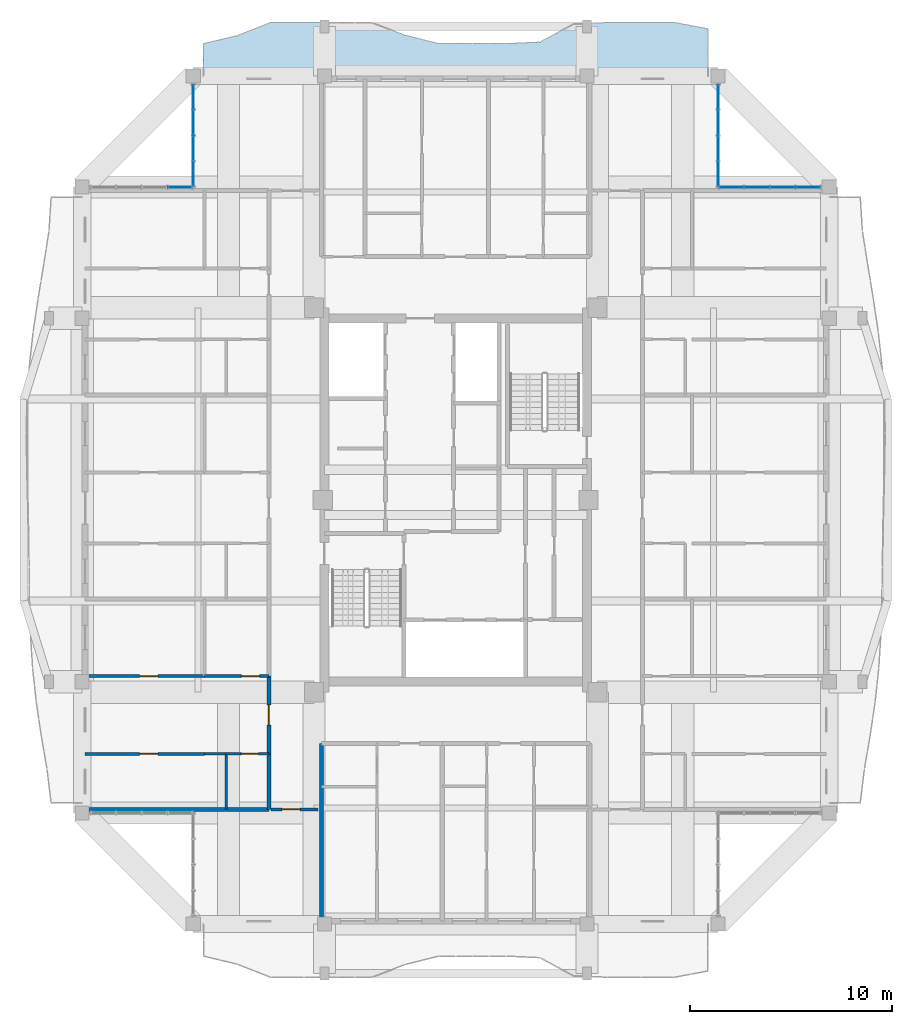
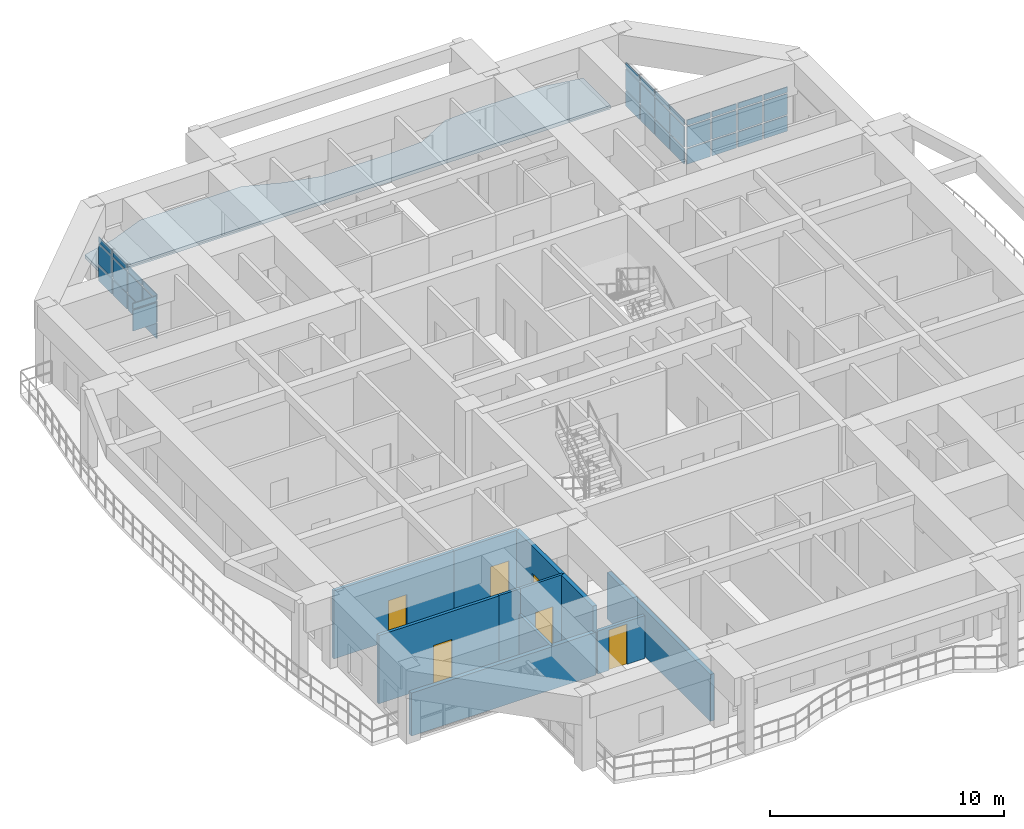
# One storey, part 10 of 22: 38 plates, 11 walls, 6 doors, 1 slab, 6 openings, 4 elements without a shape of their own.
"""IFC4 building model written with IfcOpenShell, lengths in metres."""

from ifc_helpers import new_model, si_unit, direction, frame, frame_2d, origin, origin_2d, place, context, subcontext, project, spatial, polyline, rectangle, outline, extrude, source, transform, mapped, material, layer, layer_set, type_object, element, fill, aggregate, save


model = new_model("IFC4")

# Units and contexts
model_context = context("Model", 3, precision=1e-05, world=origin(), true_north=direction((0.0, 1.0)))
body_context = subcontext(model_context, "Body", "Model", "MODEL_VIEW")
ifc_project = project(units=[si_unit("LENGTHUNIT", "METRE"), si_unit("AREAUNIT", "SQUARE_METRE"), si_unit("VOLUMEUNIT", "CUBIC_METRE"), si_unit("PLANEANGLEUNIT", "RADIAN"), si_unit("MASSUNIT", "GRAM", prefix="KILO")], contexts=[model_context])

# Site, building, storey
site_placement = place(None, origin())
site = spatial("IfcSite", under=ifc_project, at=site_placement, CompositionType="ELEMENT")
building_placement = place(site_placement, origin())
building = spatial("IfcBuilding", under=site, at=building_placement, Name="Saelheon Loggia Tower", CompositionType="ELEMENT")
storey_placement = place(building_placement, frame((0.0, 0.0, 216.300048828125)))
storey = spatial("IfcBuildingStorey", under=building, at=storey_placement, Name="L67", CompositionType="ELEMENT", Elevation=216.300048828125)

# Slab
ifc_material_1 = material(Name="Precast Concrete C45/55", Category="concrete")
ifc_layer_1 = layer(ifc_material_1, 0.18994140625)
ifc_layer_set_1 = layer_set([ifc_layer_1], Name="Precast Concrete C45/55")
slab_type = type_object("IfcSlabType", Name="Slab_Loggia_Ext_190", PredefinedType="FLOOR", material=ifc_layer_set_1)
slab_placement = place(storey_placement, frame((0.0, 0.0, -0.18994140625)))
element("IfcSlab", 1, at=slab_placement, inside=storey, type_object=slab_type, Name="L67 Loggia Balcony Slab N", PredefinedType="FLOOR", context=body_context, shape_type="SweptSolid", body=[
    extrude(outline(polyline([(25.5, 48.0), (50.5, 48.0), (50.5, 50.339599609375), (48.833251953125, 50.64990234375), (47.166748046875, 50.64990234375), (45.5, 50.64990234375), (43.833251953125, 50.56884765625), (42.166748046875, 49.6796875), (40.5, 49.60009765625), (38.833251953125, 49.60009765625), (37.166748046875, 49.60009765625), (35.5, 50.014404296875), (33.833251953125, 50.64990234375), (32.166748046875, 50.64990234375), (30.5, 50.64990234375), (28.833251953125, 50.64990234375), (27.166748046875, 49.996337890625), (25.5, 49.60009765625), (25.5, 48.0)])), origin(), (0.0, 0.0, 1.0), 0.18994140625),
])

# Curtain wall, plates
ifc_material_2 = material(Name="High-Wind Aluminium and Triple Laminated Glass", Category="aluminium")
ifc_layer_2 = layer(ifc_material_2, 0.179931640625)
ifc_layer_set_2 = layer_set([ifc_layer_2], Name="High-Wind Aluminium and Triple Laminated Glass")
curtain_wall_type = type_object("IfcCurtainWallType", Name="CW_TowerLoggiaHigh", PredefinedType="NOTDEFINED", material=ifc_layer_set_2)
curtain_wall_1_placement = place(storey_placement, origin())
curtain_wall_1 = element("IfcCurtainWall", 2, at=curtain_wall_1_placement, inside=storey, type_object=curtain_wall_type, Name="L67 Corner Notch Glazing NW1", PredefinedType="NOTDEFINED")
ifc_material_3 = material(Name="Triple Low-E Laminated Glazing", Category="glass")
ifc_layer_3 = layer(ifc_material_3, 0.0439453125)
ifc_layer_set_3 = layer_set([ifc_layer_3], Name="Triple Low-E Laminated Glazing")
plate_type = type_object("IfcPlateType", Name="CW_TowerLoggiaHigh_Panel", PredefinedType="CURTAIN_PANEL", material=ifc_layer_set_3)
shared_shape_1 = source(origin(), body_context, "Body", "SweptSolid", [
    extrude(rectangle(XDim=1.172607421875, YDim=0.0439453125, at=origin_2d()), origin(), (0.0, 0.0, 1.0), 0.794921875),
])
plate_1_placement = place(storey_placement, frame((25.0, 43.15625, 0.070068359375), z_axis=(0.0, 0.0, 1.0), x_axis=(0.0, 1.0, 0.0)))
plate_1 = element("IfcPlate", 3, at=plate_1_placement, type_object=plate_type, Name="CW4 panel 1.1", PredefinedType="CURTAIN_PANEL", context=body_context, shape_type="MappedRepresentation", body=[
    mapped(shared_shape_1, transform((0.0, 0.0, 0.0), scale=1.0)),
])
plate_2_placement = place(storey_placement, frame((25.0, 46.953857421875, 0.070068359375), z_axis=(0.0, 0.0, 1.0), x_axis=(0.0, 1.0, 0.0)))
plate_2 = element("IfcPlate", 4, at=plate_2_placement, type_object=plate_type, Name="CW4 panel 4.1", PredefinedType="CURTAIN_PANEL", context=body_context, shape_type="MappedRepresentation", body=[
    mapped(shared_shape_1, transform((0.0, 0.0, 0.0), scale=1.0)),
])

curtain_wall_2_placement = place(storey_placement, origin())
curtain_wall_2 = element("IfcCurtainWall", 5, at=curtain_wall_2_placement, inside=storey, type_object=curtain_wall_type, Name="L67 Corner Notch Glazing NE1", PredefinedType="NOTDEFINED")
plate_3_placement = place(storey_placement, frame((51.0, 43.15625, 0.070068359375), z_axis=(0.0, 0.0, 1.0), x_axis=(0.0, 1.0, 0.0)))
plate_3 = element("IfcPlate", 6, at=plate_3_placement, type_object=plate_type, Name="CW4 panel 1.1", PredefinedType="CURTAIN_PANEL", context=body_context, shape_type="MappedRepresentation", body=[
    mapped(shared_shape_1, transform((0.0, 0.0, 0.0), scale=1.0)),
])
plate_4_placement = place(storey_placement, frame((51.0, 46.953857421875, 0.070068359375), z_axis=(0.0, 0.0, 1.0), x_axis=(0.0, 1.0, 0.0)))
plate_4 = element("IfcPlate", 7, at=plate_4_placement, type_object=plate_type, Name="CW4 panel 4.1", PredefinedType="CURTAIN_PANEL", context=body_context, shape_type="MappedRepresentation", body=[
    mapped(shared_shape_1, transform((0.0, 0.0, 0.0), scale=1.0)),
])

curtain_wall_3_placement = place(storey_placement, origin())
curtain_wall_3 = element("IfcCurtainWall", 8, at=curtain_wall_3_placement, inside=storey, type_object=curtain_wall_type, Name="L67 Corner Notch Glazing NE2", PredefinedType="NOTDEFINED")
plate_5_placement = place(storey_placement, frame((51.65625, 42.5, 0.070068359375), z_axis=(0.0, 0.0, 1.0), x_axis=(1.0, 0.0, 0.0)))
plate_5 = element("IfcPlate", 9, at=plate_5_placement, type_object=plate_type, Name="CW4 panel 1.1", PredefinedType="CURTAIN_PANEL", context=body_context, shape_type="MappedRepresentation", body=[
    mapped(shared_shape_1, transform((0.0, 0.0, 0.0), scale=1.0)),
])
plate_6_placement = place(storey_placement, frame((55.453857421875, 42.5, 0.070068359375), z_axis=(0.0, 0.0, 1.0), x_axis=(1.0, 0.0, 0.0)))
plate_6 = element("IfcPlate", 10, at=plate_6_placement, type_object=plate_type, Name="CW4 panel 4.1", PredefinedType="CURTAIN_PANEL", context=body_context, shape_type="MappedRepresentation", body=[
    mapped(shared_shape_1, transform((0.0, 0.0, 0.0), scale=1.0)),
])

# Plate
shared_shape_2 = source(origin(), body_context, "Body", "SweptSolid", [
    extrude(rectangle(XDim=1.172607421875, YDim=0.0439453125, at=origin_2d()), origin(), (0.0, 0.0, 1.0), 1.080078125),
])
plate_7_placement = place(storey_placement, frame((25.0, 43.15625, 0.934814453125), z_axis=(0.0, 0.0, 1.0), x_axis=(0.0, 1.0, 0.0)))
plate_7 = element("IfcPlate", 11, at=plate_7_placement, type_object=plate_type, Name="CW4 panel 1.2", PredefinedType="CURTAIN_PANEL", context=body_context, shape_type="MappedRepresentation", body=[
    mapped(shared_shape_2, transform((0.0, 0.0, 0.0), scale=1.0)),
])

plate_8_placement = place(storey_placement, frame((25.0, 46.953857421875, 0.934814453125), z_axis=(0.0, 0.0, 1.0), x_axis=(0.0, 1.0, 0.0)))
plate_8 = element("IfcPlate", 12, at=plate_8_placement, type_object=plate_type, Name="CW4 panel 4.2", PredefinedType="CURTAIN_PANEL", context=body_context, shape_type="MappedRepresentation", body=[
    mapped(shared_shape_2, transform((0.0, 0.0, 0.0), scale=1.0)),
])

# Curtain wall, plate
curtain_wall_4_placement = place(storey_placement, origin())
curtain_wall_4 = element("IfcCurtainWall", 13, at=curtain_wall_4_placement, inside=storey, type_object=curtain_wall_type, Name="L67 Corner Notch Glazing NW2", PredefinedType="NOTDEFINED")
plate_9_placement = place(storey_placement, frame((24.34375, 42.5, 0.934814453125), z_axis=(0.0, 0.0, 1.0), x_axis=(1.0, 0.0, 0.0)))
plate_9 = element("IfcPlate", 14, at=plate_9_placement, type_object=plate_type, Name="CW4 panel 4.2", PredefinedType="CURTAIN_PANEL", context=body_context, shape_type="MappedRepresentation", body=[
    mapped(shared_shape_2, transform((0.0, 0.0, 0.0), scale=1.0)),
])

# Plate
plate_10_placement = place(storey_placement, frame((51.0, 43.15625, 0.934814453125), z_axis=(0.0, 0.0, 1.0), x_axis=(0.0, 1.0, 0.0)))
plate_10 = element("IfcPlate", 15, at=plate_10_placement, type_object=plate_type, Name="CW4 panel 1.2", PredefinedType="CURTAIN_PANEL", context=body_context, shape_type="MappedRepresentation", body=[
    mapped(shared_shape_2, transform((0.0, 0.0, 0.0), scale=1.0)),
])

plate_11_placement = place(storey_placement, frame((51.0, 46.953857421875, 0.934814453125), z_axis=(0.0, 0.0, 1.0), x_axis=(0.0, 1.0, 0.0)))
plate_11 = element("IfcPlate", 16, at=plate_11_placement, type_object=plate_type, Name="CW4 panel 4.2", PredefinedType="CURTAIN_PANEL", context=body_context, shape_type="MappedRepresentation", body=[
    mapped(shared_shape_2, transform((0.0, 0.0, 0.0), scale=1.0)),
])

plate_12_placement = place(storey_placement, frame((51.65625, 42.5, 0.934814453125), z_axis=(0.0, 0.0, 1.0), x_axis=(1.0, 0.0, 0.0)))
plate_12 = element("IfcPlate", 17, at=plate_12_placement, type_object=plate_type, Name="CW4 panel 1.2", PredefinedType="CURTAIN_PANEL", context=body_context, shape_type="MappedRepresentation", body=[
    mapped(shared_shape_2, transform((0.0, 0.0, 0.0), scale=1.0)),
])

plate_13_placement = place(storey_placement, frame((55.453857421875, 42.5, 0.934814453125), z_axis=(0.0, 0.0, 1.0), x_axis=(1.0, 0.0, 0.0)))
plate_13 = element("IfcPlate", 18, at=plate_13_placement, type_object=plate_type, Name="CW4 panel 4.2", PredefinedType="CURTAIN_PANEL", context=body_context, shape_type="MappedRepresentation", body=[
    mapped(shared_shape_2, transform((0.0, 0.0, 0.0), scale=1.0)),
])

shared_shape_3 = source(origin(), body_context, "Body", "SweptSolid", [
    extrude(rectangle(XDim=1.172607421875, YDim=0.0439453125, at=origin_2d()), origin(), (0.0, 0.0, 1.0), 0.284912109375),
])
plate_14_placement = place(storey_placement, frame((25.0, 43.15625, 2.0849609375), z_axis=(0.0, 0.0, 1.0), x_axis=(0.0, 1.0, 0.0)))
plate_14 = element("IfcPlate", 19, at=plate_14_placement, type_object=plate_type, Name="CW4 panel 1.3", PredefinedType="CURTAIN_PANEL", context=body_context, shape_type="MappedRepresentation", body=[
    mapped(shared_shape_3, transform((0.0, 0.0, 0.0), scale=1.0)),
])

plate_15_placement = place(storey_placement, frame((25.0, 46.953857421875, 2.0849609375), z_axis=(0.0, 0.0, 1.0), x_axis=(0.0, 1.0, 0.0)))
plate_15 = element("IfcPlate", 20, at=plate_15_placement, type_object=plate_type, Name="CW4 panel 4.3", PredefinedType="CURTAIN_PANEL", context=body_context, shape_type="MappedRepresentation", body=[
    mapped(shared_shape_3, transform((0.0, 0.0, 0.0), scale=1.0)),
])

plate_16_placement = place(storey_placement, frame((24.34375, 42.5, 2.0849609375), z_axis=(0.0, 0.0, 1.0), x_axis=(1.0, 0.0, 0.0)))
plate_16 = element("IfcPlate", 21, at=plate_16_placement, type_object=plate_type, Name="CW4 panel 4.3", PredefinedType="CURTAIN_PANEL", context=body_context, shape_type="MappedRepresentation", body=[
    mapped(shared_shape_3, transform((0.0, 0.0, 0.0), scale=1.0)),
])

aggregate(curtain_wall_4, [plate_9, plate_16])

plate_17_placement = place(storey_placement, frame((51.0, 43.15625, 2.0849609375), z_axis=(0.0, 0.0, 1.0), x_axis=(0.0, 1.0, 0.0)))
plate_17 = element("IfcPlate", 22, at=plate_17_placement, type_object=plate_type, Name="CW4 panel 1.3", PredefinedType="CURTAIN_PANEL", context=body_context, shape_type="MappedRepresentation", body=[
    mapped(shared_shape_3, transform((0.0, 0.0, 0.0), scale=1.0)),
])

plate_18_placement = place(storey_placement, frame((51.0, 46.953857421875, 2.0849609375), z_axis=(0.0, 0.0, 1.0), x_axis=(0.0, 1.0, 0.0)))
plate_18 = element("IfcPlate", 23, at=plate_18_placement, type_object=plate_type, Name="CW4 panel 4.3", PredefinedType="CURTAIN_PANEL", context=body_context, shape_type="MappedRepresentation", body=[
    mapped(shared_shape_3, transform((0.0, 0.0, 0.0), scale=1.0)),
])

plate_19_placement = place(storey_placement, frame((51.65625, 42.5, 2.0849609375), z_axis=(0.0, 0.0, 1.0), x_axis=(1.0, 0.0, 0.0)))
plate_19 = element("IfcPlate", 24, at=plate_19_placement, type_object=plate_type, Name="CW4 panel 1.3", PredefinedType="CURTAIN_PANEL", context=body_context, shape_type="MappedRepresentation", body=[
    mapped(shared_shape_3, transform((0.0, 0.0, 0.0), scale=1.0)),
])

plate_20_placement = place(storey_placement, frame((55.453857421875, 42.5, 2.0849609375), z_axis=(0.0, 0.0, 1.0), x_axis=(1.0, 0.0, 0.0)))
plate_20 = element("IfcPlate", 25, at=plate_20_placement, type_object=plate_type, Name="CW4 panel 4.3", PredefinedType="CURTAIN_PANEL", context=body_context, shape_type="MappedRepresentation", body=[
    mapped(shared_shape_3, transform((0.0, 0.0, 0.0), scale=1.0)),
])

shared_shape_4 = source(origin(), body_context, "Body", "SweptSolid", [
    extrude(rectangle(XDim=1.20751953125, YDim=0.0439453125, at=origin_2d()), origin(), (0.0, 0.0, 1.0), 0.794921875),
])
plate_21_placement = place(storey_placement, frame((25.0, 44.416259765625, 0.070068359375), z_axis=(0.0, 0.0, 1.0), x_axis=(0.0, 1.0, 0.0)))
plate_21 = element("IfcPlate", 26, at=plate_21_placement, type_object=plate_type, Name="CW4 panel 2.1", PredefinedType="CURTAIN_PANEL", context=body_context, shape_type="MappedRepresentation", body=[
    mapped(shared_shape_4, transform((0.0, 0.0, 0.0), scale=1.0)),
])

plate_22_placement = place(storey_placement, frame((25.0, 45.69384765625, 0.070068359375), z_axis=(0.0, 0.0, 1.0), x_axis=(0.0, 1.0, 0.0)))
plate_22 = element("IfcPlate", 27, at=plate_22_placement, type_object=plate_type, Name="CW4 panel 3.1", PredefinedType="CURTAIN_PANEL", context=body_context, shape_type="MappedRepresentation", body=[
    mapped(shared_shape_4, transform((0.0, 0.0, 0.0), scale=1.0)),
])

plate_23_placement = place(storey_placement, frame((51.0, 44.416259765625, 0.070068359375), z_axis=(0.0, 0.0, 1.0), x_axis=(0.0, 1.0, 0.0)))
plate_23 = element("IfcPlate", 28, at=plate_23_placement, type_object=plate_type, Name="CW4 panel 2.1", PredefinedType="CURTAIN_PANEL", context=body_context, shape_type="MappedRepresentation", body=[
    mapped(shared_shape_4, transform((0.0, 0.0, 0.0), scale=1.0)),
])

plate_24_placement = place(storey_placement, frame((51.0, 45.69384765625, 0.070068359375), z_axis=(0.0, 0.0, 1.0), x_axis=(0.0, 1.0, 0.0)))
plate_24 = element("IfcPlate", 29, at=plate_24_placement, type_object=plate_type, Name="CW4 panel 3.1", PredefinedType="CURTAIN_PANEL", context=body_context, shape_type="MappedRepresentation", body=[
    mapped(shared_shape_4, transform((0.0, 0.0, 0.0), scale=1.0)),
])

plate_25_placement = place(storey_placement, frame((52.916259765625, 42.5, 0.070068359375), z_axis=(0.0, 0.0, 1.0), x_axis=(1.0, 0.0, 0.0)))
plate_25 = element("IfcPlate", 30, at=plate_25_placement, type_object=plate_type, Name="CW4 panel 2.1", PredefinedType="CURTAIN_PANEL", context=body_context, shape_type="MappedRepresentation", body=[
    mapped(shared_shape_4, transform((0.0, 0.0, 0.0), scale=1.0)),
])

plate_26_placement = place(storey_placement, frame((54.19384765625, 42.5, 0.070068359375), z_axis=(0.0, 0.0, 1.0), x_axis=(1.0, 0.0, 0.0)))
plate_26 = element("IfcPlate", 31, at=plate_26_placement, type_object=plate_type, Name="CW4 panel 3.1", PredefinedType="CURTAIN_PANEL", context=body_context, shape_type="MappedRepresentation", body=[
    mapped(shared_shape_4, transform((0.0, 0.0, 0.0), scale=1.0)),
])

shared_shape_5 = source(origin(), body_context, "Body", "SweptSolid", [
    extrude(rectangle(XDim=1.20751953125, YDim=0.0439453125, at=origin_2d()), origin(), (0.0, 0.0, 1.0), 1.080078125),
])
plate_27_placement = place(storey_placement, frame((25.0, 44.416259765625, 0.934814453125), z_axis=(0.0, 0.0, 1.0), x_axis=(0.0, 1.0, 0.0)))
plate_27 = element("IfcPlate", 32, at=plate_27_placement, type_object=plate_type, Name="CW4 panel 2.2", PredefinedType="CURTAIN_PANEL", context=body_context, shape_type="MappedRepresentation", body=[
    mapped(shared_shape_5, transform((0.0, 0.0, 0.0), scale=1.0)),
])

plate_28_placement = place(storey_placement, frame((25.0, 45.69384765625, 0.934814453125), z_axis=(0.0, 0.0, 1.0), x_axis=(0.0, 1.0, 0.0)))
plate_28 = element("IfcPlate", 33, at=plate_28_placement, type_object=plate_type, Name="CW4 panel 3.2", PredefinedType="CURTAIN_PANEL", context=body_context, shape_type="MappedRepresentation", body=[
    mapped(shared_shape_5, transform((0.0, 0.0, 0.0), scale=1.0)),
])

plate_29_placement = place(storey_placement, frame((51.0, 44.416259765625, 0.934814453125), z_axis=(0.0, 0.0, 1.0), x_axis=(0.0, 1.0, 0.0)))
plate_29 = element("IfcPlate", 34, at=plate_29_placement, type_object=plate_type, Name="CW4 panel 2.2", PredefinedType="CURTAIN_PANEL", context=body_context, shape_type="MappedRepresentation", body=[
    mapped(shared_shape_5, transform((0.0, 0.0, 0.0), scale=1.0)),
])

plate_30_placement = place(storey_placement, frame((51.0, 45.69384765625, 0.934814453125), z_axis=(0.0, 0.0, 1.0), x_axis=(0.0, 1.0, 0.0)))
plate_30 = element("IfcPlate", 35, at=plate_30_placement, type_object=plate_type, Name="CW4 panel 3.2", PredefinedType="CURTAIN_PANEL", context=body_context, shape_type="MappedRepresentation", body=[
    mapped(shared_shape_5, transform((0.0, 0.0, 0.0), scale=1.0)),
])

plate_31_placement = place(storey_placement, frame((52.916259765625, 42.5, 0.934814453125), z_axis=(0.0, 0.0, 1.0), x_axis=(1.0, 0.0, 0.0)))
plate_31 = element("IfcPlate", 36, at=plate_31_placement, type_object=plate_type, Name="CW4 panel 2.2", PredefinedType="CURTAIN_PANEL", context=body_context, shape_type="MappedRepresentation", body=[
    mapped(shared_shape_5, transform((0.0, 0.0, 0.0), scale=1.0)),
])

plate_32_placement = place(storey_placement, frame((54.19384765625, 42.5, 0.934814453125), z_axis=(0.0, 0.0, 1.0), x_axis=(1.0, 0.0, 0.0)))
plate_32 = element("IfcPlate", 37, at=plate_32_placement, type_object=plate_type, Name="CW4 panel 3.2", PredefinedType="CURTAIN_PANEL", context=body_context, shape_type="MappedRepresentation", body=[
    mapped(shared_shape_5, transform((0.0, 0.0, 0.0), scale=1.0)),
])

shared_shape_6 = source(origin(), body_context, "Body", "SweptSolid", [
    extrude(rectangle(XDim=1.20751953125, YDim=0.0439453125, at=origin_2d()), origin(), (0.0, 0.0, 1.0), 0.284912109375),
])
plate_33_placement = place(storey_placement, frame((25.0, 44.416259765625, 2.0849609375), z_axis=(0.0, 0.0, 1.0), x_axis=(0.0, 1.0, 0.0)))
plate_33 = element("IfcPlate", 38, at=plate_33_placement, type_object=plate_type, Name="CW4 panel 2.3", PredefinedType="CURTAIN_PANEL", context=body_context, shape_type="MappedRepresentation", body=[
    mapped(shared_shape_6, transform((0.0, 0.0, 0.0), scale=1.0)),
])

plate_34_placement = place(storey_placement, frame((25.0, 45.69384765625, 2.0849609375), z_axis=(0.0, 0.0, 1.0), x_axis=(0.0, 1.0, 0.0)))
plate_34 = element("IfcPlate", 39, at=plate_34_placement, type_object=plate_type, Name="CW4 panel 3.3", PredefinedType="CURTAIN_PANEL", context=body_context, shape_type="MappedRepresentation", body=[
    mapped(shared_shape_6, transform((0.0, 0.0, 0.0), scale=1.0)),
])

aggregate(curtain_wall_1, [plate_1, plate_7, plate_14, plate_21, plate_27, plate_33, plate_22, plate_28, plate_34, plate_2, plate_8, plate_15])

plate_35_placement = place(storey_placement, frame((51.0, 44.416259765625, 2.0849609375), z_axis=(0.0, 0.0, 1.0), x_axis=(0.0, 1.0, 0.0)))
plate_35 = element("IfcPlate", 40, at=plate_35_placement, type_object=plate_type, Name="CW4 panel 2.3", PredefinedType="CURTAIN_PANEL", context=body_context, shape_type="MappedRepresentation", body=[
    mapped(shared_shape_6, transform((0.0, 0.0, 0.0), scale=1.0)),
])

plate_36_placement = place(storey_placement, frame((51.0, 45.69384765625, 2.0849609375), z_axis=(0.0, 0.0, 1.0), x_axis=(0.0, 1.0, 0.0)))
plate_36 = element("IfcPlate", 41, at=plate_36_placement, type_object=plate_type, Name="CW4 panel 3.3", PredefinedType="CURTAIN_PANEL", context=body_context, shape_type="MappedRepresentation", body=[
    mapped(shared_shape_6, transform((0.0, 0.0, 0.0), scale=1.0)),
])

aggregate(curtain_wall_2, [plate_3, plate_10, plate_17, plate_23, plate_29, plate_35, plate_24, plate_30, plate_36, plate_4, plate_11, plate_18])

plate_37_placement = place(storey_placement, frame((52.916259765625, 42.5, 2.0849609375), z_axis=(0.0, 0.0, 1.0), x_axis=(1.0, 0.0, 0.0)))
plate_37 = element("IfcPlate", 42, at=plate_37_placement, type_object=plate_type, Name="CW4 panel 2.3", PredefinedType="CURTAIN_PANEL", context=body_context, shape_type="MappedRepresentation", body=[
    mapped(shared_shape_6, transform((0.0, 0.0, 0.0), scale=1.0)),
])

plate_38_placement = place(storey_placement, frame((54.19384765625, 42.5, 2.0849609375), z_axis=(0.0, 0.0, 1.0), x_axis=(1.0, 0.0, 0.0)))
plate_38 = element("IfcPlate", 43, at=plate_38_placement, type_object=plate_type, Name="CW4 panel 3.3", PredefinedType="CURTAIN_PANEL", context=body_context, shape_type="MappedRepresentation", body=[
    mapped(shared_shape_6, transform((0.0, 0.0, 0.0), scale=1.0)),
])

aggregate(curtain_wall_3, [plate_5, plate_12, plate_19, plate_25, plate_31, plate_37, plate_26, plate_32, plate_38, plate_6, plate_13, plate_20])

# Wall, opening, door
ifc_material_4 = material(Name="Lightweight Autoclaved Aerated Concrete Block and Acoustic Gypsum", Category="concrete")
ifc_layer_4 = layer(ifc_material_4, 0.14990234375)
ifc_layer_set_4 = layer_set([ifc_layer_4], Name="Lightweight Autoclaved Aerated Concrete Block and Acoustic Gypsum")
wall_type_1 = type_object("IfcWallType", Name="Wall_Part_150", PredefinedType="PARTITIONING", material=ifc_layer_set_4)
wall_1_placement = place(storey_placement, frame((28.85009765625, 11.679931640625, 0.0), z_axis=(0.0, 0.0, 1.0), x_axis=(1.0, 0.0, 0.0)))
wall_1 = element("IfcWall", 44, at=wall_1_placement, inside=storey, type_object=wall_type_1, Name="PW-L67-CSW-H", PredefinedType="PARTITIONING", context=body_context, shape_type="SweptSolid", body=[
    extrude(rectangle(XDim=2.329833984375, YDim=0.14990234375, at=frame_2d((1.1650390625, 0.0))), origin(), (0.0, 0.0, 1.0), 2.239990234375),
])
opening_1_placement = place(wall_1_placement, frame((0.550048828125, 0.0, 0.0)))
opening_1 = element("IfcOpeningElement", 45, at=opening_1_placement, cuts=wall_1, Name="Opening D-IN2", PredefinedType="OPENING", context=body_context, shape_type="SweptSolid", body=[
    extrude(rectangle(XDim=0.89990234375, YDim=2.10009765625, at=frame_2d((0.449951171875, 1.050048828125))), frame((0.0, 0.0869140625, 0.0), z_axis=(0.0, -1.0, 0.0), x_axis=(1.0, 0.0, 0.0)), (0.0, 0.0, 1.0), 0.173828125),
])
ifc_material_5 = material(Name="Engineered Oak Flush Door", Category="timber")
door_type_1 = type_object("IfcDoorType", Name="Door_Int_900", OperationType="NOTDEFINED", PredefinedType="DOOR", material=ifc_material_5)
shared_shape_7 = source(origin(), body_context, "Body", "SweptSolid", [
    extrude(rectangle(XDim=0.89990234375, YDim=2.10009765625, at=frame_2d((0.449951171875, 1.050048828125))), frame((0.0, 0.02490234375, 0.0), z_axis=(0.0, -1.0, 0.0), x_axis=(1.0, 0.0, 0.0)), (0.0, 0.0, 1.0), 0.050048828125),
])
door_1_placement = place(opening_1_placement, origin())
door_1 = element("IfcDoor", 46, at=door_1_placement, inside=storey, type_object=door_type_1, Name="L67 Corner Home Office SW Door", OperationType="SINGLE_SWING_RIGHT", OverallHeight=2.10009765625, OverallWidth=0.89990234375, PredefinedType="DOOR", context=body_context, shape_type="MappedRepresentation", body=[
    mapped(shared_shape_7, transform((0.0, 0.0, 0.0), scale=1.0)),
])
fill(opening_1, door_1)

wall_2_placement = place(storey_placement, frame((25.570068359375, 14.429931640625, 0.0), z_axis=(0.0, 0.0, 1.0), x_axis=(-1.0, 0.0, 0.0)))
wall_2 = element("IfcWall", 47, at=wall_2_placement, inside=storey, type_object=wall_type_1, Name="L67 W Partition U10", PredefinedType="PARTITIONING", context=body_context, shape_type="SweptSolid", body=[
    extrude(rectangle(XDim=5.920166015625, YDim=0.14990234375, at=frame_2d((2.9599609375, 0.0))), origin(), (0.0, 0.0, 1.0), 3.56005859375),
])
opening_2_placement = place(wall_2_placement, frame((2.32080078125, 0.0, 0.0)))
opening_2 = element("IfcOpeningElement", 48, at=opening_2_placement, cuts=wall_2, Name="Opening D-IN2", PredefinedType="OPENING", context=body_context, shape_type="SweptSolid", body=[
    extrude(rectangle(XDim=0.89990234375, YDim=2.10009765625, at=frame_2d((0.449951171875, 1.050048828125))), frame((0.0, 0.0869140625, 0.0), z_axis=(0.0, -1.0, 0.0), x_axis=(1.0, 0.0, 0.0)), (0.0, 0.0, 1.0), 0.173828125),
])
door_2_placement = place(opening_2_placement, origin())
door_2 = element("IfcDoor", 49, at=door_2_placement, inside=storey, type_object=door_type_1, Name="Unit U05 Kitchen Door", OperationType="SINGLE_SWING_LEFT", OverallHeight=2.10009765625, OverallWidth=0.89990234375, PredefinedType="DOOR", context=body_context, shape_type="MappedRepresentation", body=[
    mapped(shared_shape_7, transform((0.0, 0.0, 0.0), scale=1.0)),
])
fill(opening_2, door_2)

wall_3_placement = place(storey_placement, frame((28.75, 18.280029296875, 0.0), z_axis=(0.0, 0.0, 1.0), x_axis=(-1.0, 0.0, 0.0)))
wall_3 = element("IfcWall", 50, at=wall_3_placement, inside=storey, type_object=wall_type_1, Name="L67 W Partition U11", PredefinedType="PARTITIONING", context=body_context, shape_type="SweptSolid", body=[
    extrude(rectangle(XDim=3.179931640625, YDim=0.14990234375, at=frame_2d((1.58984375, 0.0))), origin(), (0.0, 0.0, 1.0), 3.56005859375),
])
opening_3_placement = place(wall_3_placement, frame((0.465087890625, 0.0, 0.0)))
opening_3 = element("IfcOpeningElement", 51, at=opening_3_placement, cuts=wall_3, Name="Opening D-IN2", PredefinedType="OPENING", context=body_context, shape_type="SweptSolid", body=[
    extrude(rectangle(XDim=0.89990234375, YDim=2.10009765625, at=frame_2d((0.449951171875, 1.050048828125))), frame((0.0, 0.0869140625, 0.0), z_axis=(0.0, -1.0, 0.0), x_axis=(1.0, 0.0, 0.0)), (0.0, 0.0, 1.0), 0.173828125),
])
door_3_placement = place(opening_3_placement, origin())
door_3 = element("IfcDoor", 52, at=door_3_placement, inside=storey, type_object=door_type_1, Name="Unit U05 Dressing Closet Door", OperationType="SINGLE_SWING_RIGHT", OverallHeight=2.10009765625, OverallWidth=0.89990234375, PredefinedType="DOOR", context=body_context, shape_type="MappedRepresentation", body=[
    mapped(shared_shape_7, transform((0.0, 0.0, 0.0), scale=1.0)),
])
fill(opening_3, door_3)

wall_4_placement = place(storey_placement, frame((25.570068359375, 18.280029296875, 0.0), z_axis=(0.0, 0.0, 1.0), x_axis=(-1.0, 0.0, 0.0)))
wall_4 = element("IfcWall", 53, at=wall_4_placement, inside=storey, type_object=wall_type_1, Name="L67 W Partition U12", PredefinedType="PARTITIONING", context=body_context, shape_type="SweptSolid", body=[
    extrude(rectangle(XDim=5.920166015625, YDim=0.14990234375, at=frame_2d((2.9599609375, 0.0))), origin(), (0.0, 0.0, 1.0), 3.56005859375),
])
opening_4_placement = place(wall_4_placement, frame((2.32080078125, 0.0, 0.0)))
opening_4 = element("IfcOpeningElement", 54, at=opening_4_placement, cuts=wall_4, Name="Opening D-IN2", PredefinedType="OPENING", context=body_context, shape_type="SweptSolid", body=[
    extrude(rectangle(XDim=0.89990234375, YDim=2.10009765625, at=frame_2d((0.449951171875, 1.050048828125))), frame((0.0, 0.0869140625, 0.0), z_axis=(0.0, -1.0, 0.0), x_axis=(1.0, 0.0, 0.0)), (0.0, 0.0, 1.0), 0.173828125),
])
door_4_placement = place(opening_4_placement, origin())
door_4 = element("IfcDoor", 55, at=door_4_placement, inside=storey, type_object=door_type_1, Name="Unit U05 Bedroom 1 Door", OperationType="SINGLE_SWING_LEFT", OverallHeight=2.10009765625, OverallWidth=0.89990234375, PredefinedType="DOOR", context=body_context, shape_type="MappedRepresentation", body=[
    mapped(shared_shape_7, transform((0.0, 0.0, 0.0), scale=1.0)),
])
fill(opening_4, door_4)

# Walls
ifc_material_6 = material(Name="Double Acoustic Stud and Fireboard Partition", Category="gypsum")
ifc_layer_5 = layer(ifc_material_6, 0.199951171875)
ifc_layer_set_5 = layer_set([ifc_layer_5], Name="Double Acoustic Stud and Fireboard Partition")
wall_type_2 = type_object("IfcWallType", Name="Wall_Party_200", PredefinedType="PARTITIONING", material=ifc_layer_set_5)
wall_5_placement = place(storey_placement, frame((31.35009765625, 14.949951171875, 0.0), z_axis=(0.0, 0.0, 1.0), x_axis=(0.0, -1.0, 0.0)))
element("IfcWall", 56, at=wall_5_placement, inside=storey, type_object=wall_type_2, Name="L67 S Partition U01", PredefinedType="PARTITIONING", context=body_context, shape_type="SweptSolid", body=[
    extrude(rectangle(XDim=8.800048828125, YDim=0.199951171875, at=frame_2d((4.39990234375, 0.0))), origin(), (0.0, 0.0, 1.0), 2.43994140625),
])
wall_6_placement = place(storey_placement, frame((28.75, 11.679931640625, 0.0), z_axis=(0.0, 0.0, 1.0), x_axis=(-1.0, 0.0, 0.0)))
element("IfcWall", 57, at=wall_6_placement, inside=storey, type_object=wall_type_2, Name="L67 W Partition U01", PredefinedType="PARTITIONING", context=body_context, shape_type="SweptSolid", body=[
    extrude(rectangle(XDim=9.10009765625, YDim=0.199951171875, at=frame_2d((4.550048828125, 0.0))), origin(), (0.0, 0.0, 1.0), 2.239990234375),
])
wall_7_placement = place(storey_placement, frame((28.75, 11.679931640625, 0.0), z_axis=(0.0, 0.0, 1.0), x_axis=(0.0, 1.0, 0.0)))
element("IfcWall", 58, at=wall_7_placement, inside=storey, type_object=wall_type_2, Name="L67 W Partition V03", PredefinedType="PARTITIONING", context=body_context, shape_type="SweptSolid", body=[
    extrude(rectangle(XDim=2.75, YDim=0.199951171875, at=frame_2d((1.375, 0.0))), origin(), (0.0, 0.0, 1.0), 3.56005859375),
])

# Wall, opening, door
wall_8_placement = place(storey_placement, frame((28.75, 14.429931640625, 0.0), z_axis=(0.0, 0.0, 1.0), x_axis=(0.0, 1.0, 0.0)))
wall_8 = element("IfcWall", 59, at=wall_8_placement, inside=storey, type_object=wall_type_2, Name="L67 W Partition V04", PredefinedType="PARTITIONING", context=body_context, shape_type="SweptSolid", body=[
    extrude(rectangle(XDim=3.85009765625, YDim=0.199951171875, at=frame_2d((1.925048828125, 0.0))), origin(), (0.0, 0.0, 1.0), 3.56005859375),
])
opening_5_placement = place(wall_8_placement, frame((1.425048828125, 0.0, 0.0)))
opening_5 = element("IfcOpeningElement", 60, at=opening_5_placement, cuts=wall_8, Name="Opening D-FD1", PredefinedType="OPENING", context=body_context, shape_type="SweptSolid", body=[
    extrude(rectangle(XDim=1.0, YDim=2.14990234375, at=frame_2d((0.5, 1.074951171875))), frame((0.0, 0.112060546875, 0.0), z_axis=(0.0, -1.0, 0.0), x_axis=(1.0, 0.0, 0.0)), (0.0, 0.0, 1.0), 0.223876953125),
])
ifc_material_7 = material(Name="Fire-Rated Engineered Timber Entrance Door", Category="wood")
door_type_2 = type_object("IfcDoorType", Name="Door_Flat_FD30S", OperationType="NOTDEFINED", PredefinedType="DOOR", material=ifc_material_7)
shared_shape_8 = source(origin(), body_context, "Body", "SweptSolid", [
    extrude(rectangle(XDim=1.0, YDim=2.14990234375, at=frame_2d((0.5, 1.074951171875))), frame((0.0, 0.02490234375, 0.0), z_axis=(0.0, -1.0, 0.0), x_axis=(1.0, 0.0, 0.0)), (0.0, 0.0, 1.0), 0.050048828125),
])
door_5_placement = place(opening_5_placement, origin())
door_5 = element("IfcDoor", 61, at=door_5_placement, inside=storey, type_object=door_type_2, Name="Unit U05 Entrance Door", OperationType="SINGLE_SWING_LEFT", OverallHeight=2.14990234375, OverallWidth=1.0, PredefinedType="DOOR", context=body_context, shape_type="MappedRepresentation", body=[
    mapped(shared_shape_8, transform((0.0, 0.0, 0.0), scale=1.0)),
])
fill(opening_5, door_5)

# Wall
ifc_material_8 = material(Name="Moisture-Resistant Cement Board Partition", Category="gypsum")
ifc_layer_6 = layer(ifc_material_8, 0.1201171875)
ifc_layer_set_6 = layer_set([ifc_layer_6], Name="Moisture-Resistant Cement Board Partition")
wall_type_3 = type_object("IfcWallType", Name="Wall_WetPart_120", PredefinedType="PARTITIONING", material=ifc_layer_set_6)
wall_9_placement = place(storey_placement, frame((26.6298828125, 11.679931640625, 0.0), z_axis=(0.0, 0.0, 1.0), x_axis=(0.0, 1.0, 0.0)))
element("IfcWall", 62, at=wall_9_placement, inside=storey, type_object=wall_type_3, Name="L67 W Partition V06", PredefinedType="PARTITIONING", context=body_context, shape_type="SweptSolid", body=[
    extrude(rectangle(XDim=2.75, YDim=0.1201171875, at=frame_2d((1.375, 0.0))), origin(), (0.0, 0.0, 1.0), 2.239990234375),
])

# Wall, opening, door
wall_10_placement = place(storey_placement, frame((28.75, 14.429931640625, 0.0), z_axis=(0.0, 0.0, 1.0), x_axis=(-1.0, 0.0, 0.0)))
wall_10 = element("IfcWall", 63, at=wall_10_placement, inside=storey, type_object=wall_type_3, Name="L67 W Partition U08", PredefinedType="PARTITIONING", context=body_context, shape_type="SweptSolid", body=[
    extrude(rectangle(XDim=2.1201171875, YDim=0.1201171875, at=frame_2d((1.06005859375, 0.0))), origin(), (0.0, 0.0, 1.0), 3.56005859375),
])
opening_6_placement = place(wall_10_placement, frame((0.519775390625, 0.0, 0.0)))
opening_6 = element("IfcOpeningElement", 64, at=opening_6_placement, cuts=wall_10, Name="Opening D-BT1", PredefinedType="OPENING", context=body_context, shape_type="SweptSolid", body=[
    extrude(rectangle(XDim=0.85009765625, YDim=2.050048828125, at=frame_2d((0.425048828125, 1.02490234375))), frame((0.0, 0.072021484375, 0.0), z_axis=(0.0, -1.0, 0.0), x_axis=(1.0, 0.0, 0.0)), (0.0, 0.0, 1.0), 0.14404296875),
])
ifc_material_9 = material(Name="Moisture-Resistant Laminate Timber Door", Category="wood")
door_type_3 = type_object("IfcDoorType", Name="Door_Bath_850", OperationType="NOTDEFINED", PredefinedType="DOOR", material=ifc_material_9)
shared_shape_9 = source(origin(), body_context, "Body", "SweptSolid", [
    extrude(rectangle(XDim=0.85009765625, YDim=2.050048828125, at=frame_2d((0.425048828125, 1.02490234375))), frame((0.0, 0.02490234375, 0.0), z_axis=(0.0, -1.0, 0.0), x_axis=(1.0, 0.0, 0.0)), (0.0, 0.0, 1.0), 0.050048828125),
])
door_6_placement = place(opening_6_placement, origin())
door_6 = element("IfcDoor", 65, at=door_6_placement, inside=storey, type_object=door_type_3, Name="Unit U05 Bathroom Door", OperationType="SINGLE_SWING_RIGHT", OverallHeight=2.050048828125, OverallWidth=0.85009765625, PredefinedType="DOOR", context=body_context, shape_type="MappedRepresentation", body=[
    mapped(shared_shape_9, transform((0.0, 0.0, 0.0), scale=1.0)),
])
fill(opening_6, door_6)

# Wall
wall_11_placement = place(storey_placement, frame((26.6298828125, 14.429931640625, 0.0), z_axis=(0.0, 0.0, 1.0), x_axis=(-1.0, 0.0, 0.0)))
element("IfcWall", 66, at=wall_11_placement, inside=storey, type_object=wall_type_3, Name="L67 W Partition U09", PredefinedType="PARTITIONING", context=body_context, shape_type="SweptSolid", body=[
    extrude(rectangle(XDim=1.059814453125, YDim=0.1201171875, at=frame_2d((0.52978515625, 0.0))), origin(), (0.0, 0.0, 1.0), 3.56005859375),
])

save(model, "model.ifc")
